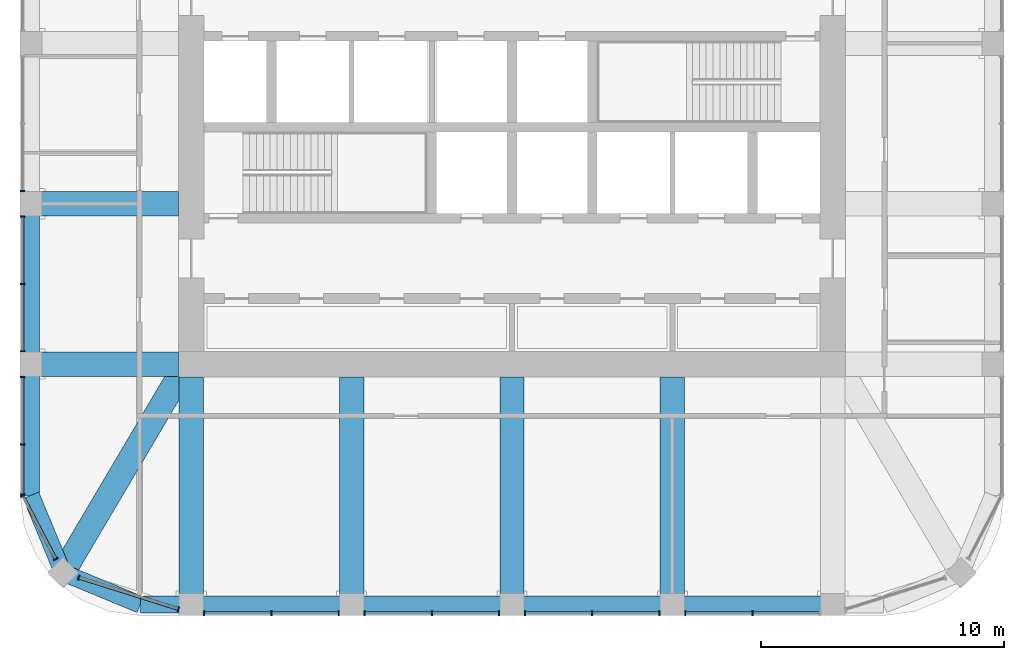
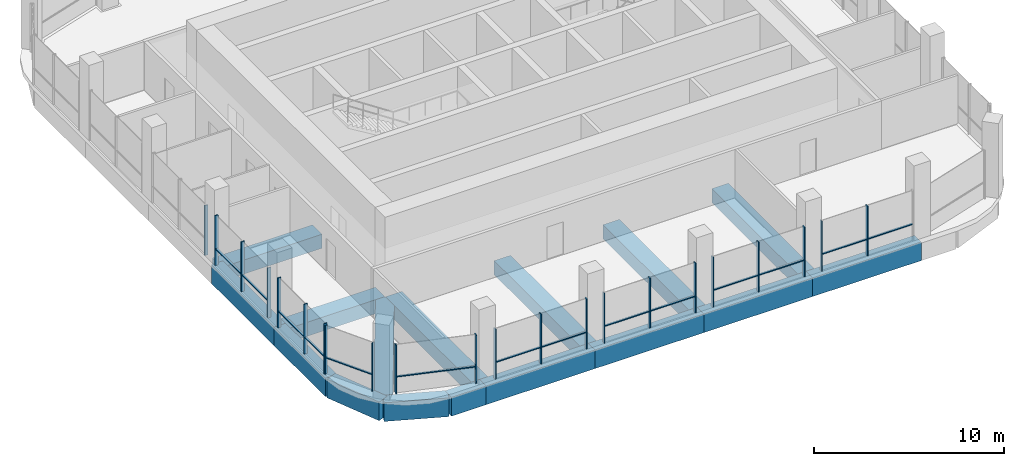
# One storey, part 2 of 13: 36 members, 16 beams, 9 elements without a shape of their own.
"""IFC4 building model written with IfcOpenShell, lengths in metres."""

from ifc_helpers import new_model, si_unit, direction, frame, origin, origin_2d, place, context, subcontext, project, spatial, rectangle, extrude, material, material_profile, profile_set, type_object, element, aggregate, save


model = new_model("IFC4")

# Units and contexts
model_context = context("Model", 3, precision=1e-05, world=origin(), true_north=direction((0.0, 1.0)))
body_context = subcontext(model_context, "Body", "Model", "MODEL_VIEW")
ifc_project = project(units=[si_unit("LENGTHUNIT", "METRE"), si_unit("AREAUNIT", "SQUARE_METRE"), si_unit("VOLUMEUNIT", "CUBIC_METRE"), si_unit("PLANEANGLEUNIT", "RADIAN"), si_unit("MASSUNIT", "GRAM", prefix="KILO")], contexts=[model_context])

# Site, building, storey
site_placement = place(None, origin())
site = spatial("IfcSite", under=ifc_project, at=site_placement, CompositionType="ELEMENT")
building_placement = place(site_placement, origin())
building = spatial("IfcBuilding", under=site, at=building_placement, Name="Cobogo Forest Laboratory Tower", CompositionType="ELEMENT")
storey_placement = place(building_placement, frame((0.0, 0.0, 288.0)))
storey = spatial("IfcBuildingStorey", under=building, at=storey_placement, Name="L66", CompositionType="ELEMENT", Elevation=288.0)

# Curtain wall, members
ifc_material_1 = material(Name="Aluminium curtain wall", Category="aluminium")
curtain_wall_type = type_object("IfcCurtainWallType", Name="CW-C stick curtain wall, crown glazing, conference floor and roof pavilion", PredefinedType="USERDEFINED", material=ifc_material_1)
curtain_wall_1_placement = place(storey_placement, origin())
curtain_wall_1 = element("IfcCurtainWall", 1, at=curtain_wall_1_placement, inside=storey, type_object=curtain_wall_type, Name="Curtain wall 01 L66", ObjectType="STICK CURTAIN WALL", PredefinedType="USERDEFINED")
ifc_material_2 = material(Name="Aluminium mullion", Category="aluminium")
ifc_material_profile_1 = material_profile(ifc_material_2, rectangle(XDim=0.06005859375, YDim=0.199951171875, at=origin_2d()), Name="AL 60x200")
ifc_profile_set_1 = profile_set([ifc_material_profile_1], Name="Aluminium mullion")
member_type_1 = type_object("IfcMemberType", Name="MU-2 aluminium mullion 60x200", PredefinedType="MULLION", material=ifc_profile_set_1)
member_1_placement = place(storey_placement, frame((13.72998046875, 2.949951171875, 0.0), z_axis=(0.0, 0.0, 1.0), x_axis=(1.0, 0.0, 0.0)))
member_1 = element("IfcMember", 2, at=member_1_placement, type_object=member_type_1, Name="CW-C mullion 1", PredefinedType="MULLION", context=body_context, shape_type="SweptSolid", body=[
    extrude(rectangle(XDim=0.06005859375, YDim=0.199951171875, at=origin_2d()), origin(), (0.0, 0.0, 1.0), 3.199951171875),
])
member_2_placement = place(storey_placement, frame((16.5, 2.949951171875, 0.0), z_axis=(0.0, 0.0, 1.0), x_axis=(1.0, 0.0, 0.0)))
member_2 = element("IfcMember", 3, at=member_2_placement, type_object=member_type_1, Name="CW-C mullion 2", PredefinedType="MULLION", context=body_context, shape_type="SweptSolid", body=[
    extrude(rectangle(XDim=0.06005859375, YDim=0.199951171875, at=origin_2d()), origin(), (0.0, 0.0, 1.0), 3.199951171875),
])
member_3_placement = place(storey_placement, frame((19.27001953125, 2.949951171875, 0.0), z_axis=(0.0, 0.0, 1.0), x_axis=(1.0, 0.0, 0.0)))
member_3 = element("IfcMember", 4, at=member_3_placement, type_object=member_type_1, Name="CW-C mullion 3", PredefinedType="MULLION", context=body_context, shape_type="SweptSolid", body=[
    extrude(rectangle(XDim=0.06005859375, YDim=0.199951171875, at=origin_2d()), origin(), (0.0, 0.0, 1.0), 3.199951171875),
])

curtain_wall_2_placement = place(storey_placement, origin())
curtain_wall_2 = element("IfcCurtainWall", 5, at=curtain_wall_2_placement, inside=storey, type_object=curtain_wall_type, Name="Curtain wall 02 L66", ObjectType="STICK CURTAIN WALL", PredefinedType="USERDEFINED")
member_4_placement = place(storey_placement, frame((20.330078125, 2.949951171875, 0.0), z_axis=(0.0, 0.0, 1.0), x_axis=(1.0, 0.0, 0.0)))
member_4 = element("IfcMember", 6, at=member_4_placement, type_object=member_type_1, Name="CW-C mullion 1", PredefinedType="MULLION", context=body_context, shape_type="SweptSolid", body=[
    extrude(rectangle(XDim=0.06005859375, YDim=0.199951171875, at=origin_2d()), origin(), (0.0, 0.0, 1.0), 3.199951171875),
])
member_5_placement = place(storey_placement, frame((23.10009765625, 2.949951171875, 0.0), z_axis=(0.0, 0.0, 1.0), x_axis=(1.0, 0.0, 0.0)))
member_5 = element("IfcMember", 7, at=member_5_placement, type_object=member_type_1, Name="CW-C mullion 2", PredefinedType="MULLION", context=body_context, shape_type="SweptSolid", body=[
    extrude(rectangle(XDim=0.06005859375, YDim=0.199951171875, at=origin_2d()), origin(), (0.0, 0.0, 1.0), 3.199951171875),
])
member_6_placement = place(storey_placement, frame((25.8701171875, 2.949951171875, 0.0), z_axis=(0.0, 0.0, 1.0), x_axis=(1.0, 0.0, 0.0)))
member_6 = element("IfcMember", 8, at=member_6_placement, type_object=member_type_1, Name="CW-C mullion 3", PredefinedType="MULLION", context=body_context, shape_type="SweptSolid", body=[
    extrude(rectangle(XDim=0.06005859375, YDim=0.199951171875, at=origin_2d()), origin(), (0.0, 0.0, 1.0), 3.199951171875),
])

curtain_wall_3_placement = place(storey_placement, origin())
curtain_wall_3 = element("IfcCurtainWall", 9, at=curtain_wall_3_placement, inside=storey, type_object=curtain_wall_type, Name="Curtain wall 03 L66", ObjectType="STICK CURTAIN WALL", PredefinedType="USERDEFINED")
member_7_placement = place(storey_placement, frame((26.929931640625, 2.949951171875, 0.0), z_axis=(0.0, 0.0, 1.0), x_axis=(1.0, 0.0, 0.0)))
member_7 = element("IfcMember", 10, at=member_7_placement, type_object=member_type_1, Name="CW-C mullion 1", PredefinedType="MULLION", context=body_context, shape_type="SweptSolid", body=[
    extrude(rectangle(XDim=0.06005859375, YDim=0.199951171875, at=origin_2d()), origin(), (0.0, 0.0, 1.0), 3.199951171875),
])
member_8_placement = place(storey_placement, frame((29.699951171875, 2.949951171875, 0.0), z_axis=(0.0, 0.0, 1.0), x_axis=(1.0, 0.0, 0.0)))
member_8 = element("IfcMember", 11, at=member_8_placement, type_object=member_type_1, Name="CW-C mullion 2", PredefinedType="MULLION", context=body_context, shape_type="SweptSolid", body=[
    extrude(rectangle(XDim=0.06005859375, YDim=0.199951171875, at=origin_2d()), origin(), (0.0, 0.0, 1.0), 3.199951171875),
])
member_9_placement = place(storey_placement, frame((32.469970703125, 2.949951171875, 0.0), z_axis=(0.0, 0.0, 1.0), x_axis=(1.0, 0.0, 0.0)))
member_9 = element("IfcMember", 12, at=member_9_placement, type_object=member_type_1, Name="CW-C mullion 3", PredefinedType="MULLION", context=body_context, shape_type="SweptSolid", body=[
    extrude(rectangle(XDim=0.06005859375, YDim=0.199951171875, at=origin_2d()), origin(), (0.0, 0.0, 1.0), 3.199951171875),
])

curtain_wall_4_placement = place(storey_placement, origin())
curtain_wall_4 = element("IfcCurtainWall", 13, at=curtain_wall_4_placement, inside=storey, type_object=curtain_wall_type, Name="Curtain wall 04 L66", ObjectType="STICK CURTAIN WALL", PredefinedType="USERDEFINED")
member_10_placement = place(storey_placement, frame((33.530029296875, 2.949951171875, 0.0), z_axis=(0.0, 0.0, 1.0), x_axis=(1.0, 0.0, 0.0)))
member_10 = element("IfcMember", 14, at=member_10_placement, type_object=member_type_1, Name="CW-C mullion 1", PredefinedType="MULLION", context=body_context, shape_type="SweptSolid", body=[
    extrude(rectangle(XDim=0.06005859375, YDim=0.199951171875, at=origin_2d()), origin(), (0.0, 0.0, 1.0), 3.199951171875),
])
member_11_placement = place(storey_placement, frame((36.300048828125, 2.949951171875, 0.0), z_axis=(0.0, 0.0, 1.0), x_axis=(1.0, 0.0, 0.0)))
member_11 = element("IfcMember", 15, at=member_11_placement, type_object=member_type_1, Name="CW-C mullion 2", PredefinedType="MULLION", context=body_context, shape_type="SweptSolid", body=[
    extrude(rectangle(XDim=0.06005859375, YDim=0.199951171875, at=origin_2d()), origin(), (0.0, 0.0, 1.0), 3.199951171875),
])

# Curtain wall, member
curtain_wall_5_placement = place(storey_placement, origin())
curtain_wall_5 = element("IfcCurtainWall", 16, at=curtain_wall_5_placement, inside=storey, type_object=curtain_wall_type, Name="Curtain wall 22 L66", ObjectType="STICK CURTAIN WALL", PredefinedType="USERDEFINED")
member_12_placement = place(storey_placement, frame((6.25, 20.330078125, 0.0), z_axis=(0.0, 0.0, 1.0), x_axis=(0.0, -1.0, 0.0)))
member_12 = element("IfcMember", 17, at=member_12_placement, type_object=member_type_1, Name="CW-C mullion 3", PredefinedType="MULLION", context=body_context, shape_type="SweptSolid", body=[
    extrude(rectangle(XDim=0.06005859375, YDim=0.199951171875, at=origin_2d()), origin(), (0.0, 0.0, 1.0), 3.199951171875),
])
aggregate(curtain_wall_5, [member_12])

# Curtain wall, members
curtain_wall_6_placement = place(storey_placement, origin())
curtain_wall_6 = element("IfcCurtainWall", 18, at=curtain_wall_6_placement, inside=storey, type_object=curtain_wall_type, Name="Curtain wall 23 L66", ObjectType="STICK CURTAIN WALL", PredefinedType="USERDEFINED")
member_13_placement = place(storey_placement, frame((6.25, 19.27001953125, 0.0), z_axis=(0.0, 0.0, 1.0), x_axis=(0.0, -1.0, 0.0)))
member_13 = element("IfcMember", 19, at=member_13_placement, type_object=member_type_1, Name="CW-C mullion 1", PredefinedType="MULLION", context=body_context, shape_type="SweptSolid", body=[
    extrude(rectangle(XDim=0.06005859375, YDim=0.199951171875, at=origin_2d()), origin(), (0.0, 0.0, 1.0), 3.199951171875),
])
member_14_placement = place(storey_placement, frame((6.25, 16.5, 0.0), z_axis=(0.0, 0.0, 1.0), x_axis=(0.0, -1.0, 0.0)))
member_14 = element("IfcMember", 20, at=member_14_placement, type_object=member_type_1, Name="CW-C mullion 2", PredefinedType="MULLION", context=body_context, shape_type="SweptSolid", body=[
    extrude(rectangle(XDim=0.06005859375, YDim=0.199951171875, at=origin_2d()), origin(), (0.0, 0.0, 1.0), 3.199951171875),
])
member_15_placement = place(storey_placement, frame((6.25, 13.72998046875, 0.0), z_axis=(0.0, 0.0, 1.0), x_axis=(0.0, -1.0, 0.0)))
member_15 = element("IfcMember", 21, at=member_15_placement, type_object=member_type_1, Name="CW-C mullion 3", PredefinedType="MULLION", context=body_context, shape_type="SweptSolid", body=[
    extrude(rectangle(XDim=0.06005859375, YDim=0.199951171875, at=origin_2d()), origin(), (0.0, 0.0, 1.0), 3.199951171875),
])

curtain_wall_7_placement = place(storey_placement, origin())
curtain_wall_7 = element("IfcCurtainWall", 22, at=curtain_wall_7_placement, inside=storey, type_object=curtain_wall_type, Name="Curtain wall 24 L66", ObjectType="STICK CURTAIN WALL", PredefinedType="USERDEFINED")
member_16_placement = place(storey_placement, frame((6.25, 12.669921875, 0.0), z_axis=(0.0, 0.0, 1.0), x_axis=(0.0, -1.0, 0.0)))
member_16 = element("IfcMember", 23, at=member_16_placement, type_object=member_type_1, Name="CW-C mullion 1", PredefinedType="MULLION", context=body_context, shape_type="SweptSolid", body=[
    extrude(rectangle(XDim=0.06005859375, YDim=0.199951171875, at=origin_2d()), origin(), (0.0, 0.0, 1.0), 3.199951171875),
])
member_17_placement = place(storey_placement, frame((6.25, 9.89990234375, 0.0), z_axis=(0.0, 0.0, 1.0), x_axis=(0.0, -1.0, 0.0)))
member_17 = element("IfcMember", 24, at=member_17_placement, type_object=member_type_1, Name="CW-C mullion 2", PredefinedType="MULLION", context=body_context, shape_type="SweptSolid", body=[
    extrude(rectangle(XDim=0.06005859375, YDim=0.199951171875, at=origin_2d()), origin(), (0.0, 0.0, 1.0), 3.199951171875),
])
member_18_placement = place(storey_placement, frame((6.25, 7.830078125, 0.0), z_axis=(0.0, 0.0, 1.0), x_axis=(0.0, -1.0, 0.0)))
member_18 = element("IfcMember", 25, at=member_18_placement, type_object=member_type_1, Name="CW-C mullion 3", PredefinedType="MULLION", context=body_context, shape_type="SweptSolid", body=[
    extrude(rectangle(XDim=0.06005859375, YDim=0.199951171875, at=origin_2d()), origin(), (0.0, 0.0, 1.0), 3.199951171875),
])

curtain_wall_8_placement = place(storey_placement, origin())
curtain_wall_8 = element("IfcCurtainWall", 26, at=curtain_wall_8_placement, inside=storey, type_object=curtain_wall_type, Name="Curtain wall 25 L66", ObjectType="STICK CURTAIN WALL", PredefinedType="USERDEFINED")
member_19_placement = place(storey_placement, frame((6.263916015625, 7.7734375, 0.0), z_axis=(0.0, 0.0, 1.0), x_axis=(0.464283778337, -0.885686498245, 0.0)))
member_19 = element("IfcMember", 27, at=member_19_placement, type_object=member_type_1, Name="CW-C mullion 1", PredefinedType="MULLION", context=body_context, shape_type="SweptSolid", body=[
    extrude(rectangle(XDim=0.06005859375, YDim=0.199951171875, at=origin_2d()), origin(), (0.0, 0.0, 1.0), 3.10009765625),
])
member_20_placement = place(storey_placement, frame((7.6220703125, 5.1826171875, 0.0), z_axis=(0.0, 0.0, 1.0), x_axis=(0.464283778337, -0.885686498245, 0.0)))
member_20 = element("IfcMember", 28, at=member_20_placement, type_object=member_type_1, Name="CW-C mullion 2", PredefinedType="MULLION", context=body_context, shape_type="SweptSolid", body=[
    extrude(rectangle(XDim=0.06005859375, YDim=0.199951171875, at=origin_2d()), origin(), (0.0, 0.0, 1.0), 3.10009765625),
])

curtain_wall_9_placement = place(storey_placement, origin())
curtain_wall_9 = element("IfcCurtainWall", 29, at=curtain_wall_9_placement, inside=storey, type_object=curtain_wall_type, Name="Curtain wall 26 L66", ObjectType="STICK CURTAIN WALL", PredefinedType="USERDEFINED")
member_21_placement = place(storey_placement, frame((8.570068359375, 4.412109375, 0.0), z_axis=(0.0, 0.0, 1.0), x_axis=(0.953581379409, -0.301135439371, 0.0)))
member_21 = element("IfcMember", 30, at=member_21_placement, type_object=member_type_1, Name="CW-C mullion 1", PredefinedType="MULLION", context=body_context, shape_type="SweptSolid", body=[
    extrude(rectangle(XDim=0.06005859375, YDim=0.199951171875, at=origin_2d()), origin(), (0.0, 0.0, 1.0), 3.10009765625),
])
member_22_placement = place(storey_placement, frame((12.67138671875, 3.116943359375, 0.0), z_axis=(0.0, 0.0, 1.0), x_axis=(0.953581379409, -0.301135439371, 0.0)))
member_22 = element("IfcMember", 31, at=member_22_placement, type_object=member_type_1, Name="CW-C mullion 2", PredefinedType="MULLION", context=body_context, shape_type="SweptSolid", body=[
    extrude(rectangle(XDim=0.06005859375, YDim=0.199951171875, at=origin_2d()), origin(), (0.0, 0.0, 1.0), 3.10009765625),
])

# Beams
ifc_material_3 = material(Name="Concrete HA-40 (C40/50)", Category="concrete")
ifc_material_profile_2 = material_profile(ifc_material_3, rectangle(XDim=1.0, YDim=0.89990234375, at=origin_2d()), Name="RC 1000x900")
ifc_profile_set_2 = profile_set([ifc_material_profile_2], Name="Concrete HA-40 (C40/50)")
beam_type_1 = type_object("IfcBeamType", Name="Office floor wide beam 1000x900", PredefinedType="BEAM", material=ifc_profile_set_2)
for number, where, z_axis, x_axis, name in (
    (32, (13.199951171875, 12.675048828125, -0.75), (0.0, -1.0, 0.0), (1.0, 0.0, 0.0), "RB2 R-3-S L66"),
    (33, (19.800048828125, 12.675048828125, -0.75), (0.0, -1.0, 0.0), (1.0, 0.0, 0.0), "RB2 R-4-S L66"),
    (34, (26.39990234375, 12.675048828125, -0.75), (0.0, -1.0, 0.0), (1.0, 0.0, 0.0), "RB2 R-5-S L66"),
    (35, (33.0, 12.675048828125, -0.75), (0.0, -1.0, 0.0), (1.0, 0.0, 0.0), "RB2 R-6-S L66"),
):
    element("IfcBeam", number, at=place(storey_placement, frame(where, z_axis=z_axis, x_axis=x_axis)), inside=storey, type_object=beam_type_1, Name=name, PredefinedType="BEAM", context=body_context, shape_type="SweptSolid", body=[
        extrude(rectangle(XDim=1.0, YDim=0.89990234375, at=origin_2d()), origin(), (0.0, 0.0, 1.0), 9.375),
    ])
for number, where, z_axis, x_axis, name in (
    (36, (12.675048828125, 13.199951171875, -0.75), (-1.0, 0.0, 0.0), (0.0, -1.0, 0.0), "RB2 R-C-W L66"),
    (37, (12.675048828125, 19.800048828125, -0.75), (-1.0, 0.0, 0.0), (0.0, -1.0, 0.0), "RB2 R-D-W L66"),
):
    element("IfcBeam", number, at=place(storey_placement, frame(where, z_axis=z_axis, x_axis=x_axis)), inside=storey, type_object=beam_type_1, Name=name, PredefinedType="BEAM", context=body_context, shape_type="SweptSolid", body=[
        extrude(rectangle(XDim=1.0, YDim=0.89990234375, at=origin_2d()), origin(), (0.0, 0.0, 1.0), 6.074951171875),
    ])
beam_1_placement = place(storey_placement, frame((7.91796875, 4.617919921875, -0.75), z_axis=(0.508416325908, 0.861111397875, 0.0), x_axis=(-0.861111397875, 0.508416325908, 0.0)))
element("IfcBeam", 38, at=beam_1_placement, inside=storey, type_object=beam_type_1, Name="RB2 G-SW-D1 L66", PredefinedType="BEAM", context=body_context, shape_type="SweptSolid", body=[
    extrude(rectangle(XDim=1.0, YDim=0.89990234375, at=origin_2d()), origin(), (0.0, 0.0, 1.0), 9.356689453125),
])
ifc_material_profile_3 = material_profile(ifc_material_3, rectangle(XDim=0.699951171875, YDim=1.199951171875, at=origin_2d()), Name="RC 700x1200")
ifc_profile_set_3 = profile_set([ifc_material_profile_3], Name="Concrete HA-40 (C40/50)")
beam_type_2 = type_object("IfcBeamType", Name="Perimeter edge beam 700x1200", PredefinedType="BEAM", material=ifc_profile_set_3)
beam_2_placement = place(storey_placement, frame((13.199951171875, 3.300048828125, -0.89990234375), z_axis=(1.0, 0.0, 0.0), x_axis=(0.0, 1.0, 0.0)))
element("IfcBeam", 39, at=beam_2_placement, inside=storey, type_object=beam_type_2, Name="EB1 E-S1 L66", PredefinedType="BEAM", context=body_context, shape_type="SweptSolid", body=[
    extrude(rectangle(XDim=0.699951171875, YDim=1.199951171875, at=origin_2d()), origin(), (0.0, 0.0, 1.0), 6.60009765625),
])
beam_3_placement = place(storey_placement, frame((19.800048828125, 3.300048828125, -0.89990234375), z_axis=(1.0, 0.0, 0.0), x_axis=(0.0, 1.0, 0.0)))
element("IfcBeam", 40, at=beam_3_placement, inside=storey, type_object=beam_type_2, Name="EB1 E-S2 L66", PredefinedType="BEAM", context=body_context, shape_type="SweptSolid", body=[
    extrude(rectangle(XDim=0.699951171875, YDim=1.199951171875, at=origin_2d()), origin(), (0.0, 0.0, 1.0), 6.599853515625),
])
for number, where, z_axis, x_axis, name in (
    (41, (26.39990234375, 3.300048828125, -0.89990234375), (1.0, 0.0, 0.0), (0.0, 1.0, 0.0), "EB1 E-S3 L66"),
    (42, (33.0, 3.300048828125, -0.89990234375), (1.0, 0.0, 0.0), (0.0, 1.0, 0.0), "EB1 E-S4 L66"),
    (43, (6.60009765625, 13.199951171875, -0.89990234375), (0.0, 1.0, 0.0), (-1.0, 0.0, 0.0), "EB1 E-W1 L66"),
):
    element("IfcBeam", number, at=place(storey_placement, frame(where, z_axis=z_axis, x_axis=x_axis)), inside=storey, type_object=beam_type_2, Name=name, PredefinedType="BEAM", context=body_context, shape_type="SweptSolid", body=[
        extrude(rectangle(XDim=0.699951171875, YDim=1.199951171875, at=origin_2d()), origin(), (0.0, 0.0, 1.0), 6.60009765625),
    ])
beam_4_placement = place(storey_placement, frame((13.199951171875, 3.300048828125, -0.89990234375), z_axis=(-1.0, 0.0, 0.0), x_axis=(0.0, -1.0, 0.0)))
element("IfcBeam", 44, at=beam_4_placement, inside=storey, type_object=beam_type_2, Name="EB1 E-SWS1 L66", PredefinedType="BEAM", context=body_context, shape_type="SweptSolid", body=[
    extrude(rectangle(XDim=0.699951171875, YDim=1.199951171875, at=origin_2d()), origin(), (0.0, 0.0, 1.0), 2.099853515625),
])
beam_5_placement = place(storey_placement, frame((11.10009765625, 3.300048828125, -0.89990234375), z_axis=(-0.923901072997, 0.382631424892, 0.0), x_axis=(-0.382631424892, -0.923901072997, 0.0)))
element("IfcBeam", 45, at=beam_5_placement, inside=storey, type_object=beam_type_2, Name="EB1 E-SWS2 L66", PredefinedType="BEAM", context=body_context, shape_type="SweptSolid", body=[
    extrude(rectangle(XDim=0.699951171875, YDim=1.199951171875, at=origin_2d()), origin(), (0.0, 0.0, 1.0), 3.4443359375),
])
beam_6_placement = place(storey_placement, frame((6.60009765625, 13.199951171875, -0.89990234375), z_axis=(0.0, -1.0, 0.0), x_axis=(1.0, 0.0, 0.0)))
element("IfcBeam", 46, at=beam_6_placement, inside=storey, type_object=beam_type_2, Name="EB1 E-SWW1 L66", PredefinedType="BEAM", context=body_context, shape_type="SweptSolid", body=[
    extrude(rectangle(XDim=0.699951171875, YDim=1.199951171875, at=origin_2d()), origin(), (0.0, 0.0, 1.0), 5.39990234375),
])
beam_7_placement = place(storey_placement, frame((6.60009765625, 7.800048828125, -0.89990234375), z_axis=(0.382631424892, -0.923901072997, 0.0), x_axis=(0.923901072997, 0.382631424892, 0.0)))
element("IfcBeam", 47, at=beam_7_placement, inside=storey, type_object=beam_type_2, Name="EB1 E-SWW2 L66", PredefinedType="BEAM", context=body_context, shape_type="SweptSolid", body=[
    extrude(rectangle(XDim=0.699951171875, YDim=1.199951171875, at=origin_2d()), origin(), (0.0, 0.0, 1.0), 3.4443359375),
])

# Member
ifc_material_4 = material(Name="Aluminium transom", Category="aluminium")
ifc_material_profile_4 = material_profile(ifc_material_4, rectangle(XDim=0.1201171875, YDim=0.06005859375, at=origin_2d()), Name="AL 60x120")
ifc_profile_set_4 = profile_set([ifc_material_profile_4], Name="Aluminium transom")
member_type_2 = type_object("IfcMemberType", Name="TR-1 aluminium transom 60x120", PredefinedType="USERDEFINED", material=ifc_profile_set_4)
member_23_placement = place(storey_placement, frame((13.760009765625, 2.949951171875, 1.050048828125), z_axis=(1.0, 0.0, 0.0), x_axis=(0.0, 1.0, 0.0)))
member_23 = element("IfcMember", 48, at=member_23_placement, type_object=member_type_2, Name="CW-C transom 1.1", ObjectType="TRANSOM", PredefinedType="USERDEFINED", context=body_context, shape_type="SweptSolid", body=[
    extrude(rectangle(XDim=0.1201171875, YDim=0.06005859375, at=origin_2d()), origin(), (0.0, 0.0, 1.0), 2.7099609375),
])

member_24_placement = place(storey_placement, frame((16.530029296875, 2.949951171875, 1.050048828125), z_axis=(1.0, 0.0, 0.0), x_axis=(0.0, 1.0, 0.0)))
member_24 = element("IfcMember", 49, at=member_24_placement, type_object=member_type_2, Name="CW-C transom 2.1", ObjectType="TRANSOM", PredefinedType="USERDEFINED", context=body_context, shape_type="SweptSolid", body=[
    extrude(rectangle(XDim=0.1201171875, YDim=0.06005859375, at=origin_2d()), origin(), (0.0, 0.0, 1.0), 2.7099609375),
])

aggregate(curtain_wall_1, [member_1, member_2, member_3, member_23, member_24])

member_25_placement = place(storey_placement, frame((20.360107421875, 2.949951171875, 1.050048828125), z_axis=(1.0, 0.0, 0.0), x_axis=(0.0, 1.0, 0.0)))
member_25 = element("IfcMember", 50, at=member_25_placement, type_object=member_type_2, Name="CW-C transom 1.1", ObjectType="TRANSOM", PredefinedType="USERDEFINED", context=body_context, shape_type="SweptSolid", body=[
    extrude(rectangle(XDim=0.1201171875, YDim=0.06005859375, at=origin_2d()), origin(), (0.0, 0.0, 1.0), 2.7099609375),
])

member_26_placement = place(storey_placement, frame((23.1298828125, 2.949951171875, 1.050048828125), z_axis=(1.0, 0.0, 0.0), x_axis=(0.0, 1.0, 0.0)))
member_26 = element("IfcMember", 51, at=member_26_placement, type_object=member_type_2, Name="CW-C transom 2.1", ObjectType="TRANSOM", PredefinedType="USERDEFINED", context=body_context, shape_type="SweptSolid", body=[
    extrude(rectangle(XDim=0.1201171875, YDim=0.06005859375, at=origin_2d()), origin(), (0.0, 0.0, 1.0), 2.710205078125),
])

aggregate(curtain_wall_2, [member_4, member_5, member_6, member_25, member_26])

member_27_placement = place(storey_placement, frame((26.9599609375, 2.949951171875, 1.050048828125), z_axis=(1.0, 0.0, 0.0), x_axis=(0.0, 1.0, 0.0)))
member_27 = element("IfcMember", 52, at=member_27_placement, type_object=member_type_2, Name="CW-C transom 1.1", ObjectType="TRANSOM", PredefinedType="USERDEFINED", context=body_context, shape_type="SweptSolid", body=[
    extrude(rectangle(XDim=0.1201171875, YDim=0.06005859375, at=origin_2d()), origin(), (0.0, 0.0, 1.0), 2.7099609375),
])

member_28_placement = place(storey_placement, frame((29.72998046875, 2.949951171875, 1.050048828125), z_axis=(1.0, 0.0, 0.0), x_axis=(0.0, 1.0, 0.0)))
member_28 = element("IfcMember", 53, at=member_28_placement, type_object=member_type_2, Name="CW-C transom 2.1", ObjectType="TRANSOM", PredefinedType="USERDEFINED", context=body_context, shape_type="SweptSolid", body=[
    extrude(rectangle(XDim=0.1201171875, YDim=0.06005859375, at=origin_2d()), origin(), (0.0, 0.0, 1.0), 2.7099609375),
])

aggregate(curtain_wall_3, [member_7, member_8, member_9, member_27, member_28])

member_29_placement = place(storey_placement, frame((33.56005859375, 2.949951171875, 1.050048828125), z_axis=(1.0, 0.0, 0.0), x_axis=(0.0, 1.0, 0.0)))
member_29 = element("IfcMember", 54, at=member_29_placement, type_object=member_type_2, Name="CW-C transom 1.1", ObjectType="TRANSOM", PredefinedType="USERDEFINED", context=body_context, shape_type="SweptSolid", body=[
    extrude(rectangle(XDim=0.1201171875, YDim=0.06005859375, at=origin_2d()), origin(), (0.0, 0.0, 1.0), 2.7099609375),
])

member_30_placement = place(storey_placement, frame((36.330078125, 2.949951171875, 1.050048828125), z_axis=(1.0, 0.0, 0.0), x_axis=(0.0, 1.0, 0.0)))
member_30 = element("IfcMember", 55, at=member_30_placement, type_object=member_type_2, Name="CW-C transom 2.1", ObjectType="TRANSOM", PredefinedType="USERDEFINED", context=body_context, shape_type="SweptSolid", body=[
    extrude(rectangle(XDim=0.1201171875, YDim=0.06005859375, at=origin_2d()), origin(), (0.0, 0.0, 1.0), 2.7099609375),
])

aggregate(curtain_wall_4, [member_10, member_11, member_29, member_30])

member_31_placement = place(storey_placement, frame((6.25, 19.239990234375, 1.050048828125), z_axis=(0.0, -1.0, 0.0), x_axis=(1.0, 0.0, 0.0)))
member_31 = element("IfcMember", 56, at=member_31_placement, type_object=member_type_2, Name="CW-C transom 1.1", ObjectType="TRANSOM", PredefinedType="USERDEFINED", context=body_context, shape_type="SweptSolid", body=[
    extrude(rectangle(XDim=0.1201171875, YDim=0.06005859375, at=origin_2d()), origin(), (0.0, 0.0, 1.0), 2.7099609375),
])

member_32_placement = place(storey_placement, frame((6.25, 16.469970703125, 1.050048828125), z_axis=(0.0, -1.0, 0.0), x_axis=(1.0, 0.0, 0.0)))
member_32 = element("IfcMember", 57, at=member_32_placement, type_object=member_type_2, Name="CW-C transom 2.1", ObjectType="TRANSOM", PredefinedType="USERDEFINED", context=body_context, shape_type="SweptSolid", body=[
    extrude(rectangle(XDim=0.1201171875, YDim=0.06005859375, at=origin_2d()), origin(), (0.0, 0.0, 1.0), 2.7099609375),
])

aggregate(curtain_wall_6, [member_13, member_14, member_15, member_31, member_32])

member_33_placement = place(storey_placement, frame((6.25, 12.639892578125, 1.050048828125), z_axis=(0.0, -1.0, 0.0), x_axis=(1.0, 0.0, 0.0)))
member_33 = element("IfcMember", 58, at=member_33_placement, type_object=member_type_2, Name="CW-C transom 1.1", ObjectType="TRANSOM", PredefinedType="USERDEFINED", context=body_context, shape_type="SweptSolid", body=[
    extrude(rectangle(XDim=0.1201171875, YDim=0.06005859375, at=origin_2d()), origin(), (0.0, 0.0, 1.0), 2.7099609375),
])

member_34_placement = place(storey_placement, frame((6.25, 9.8701171875, 1.050048828125), z_axis=(0.0, -1.0, 0.0), x_axis=(1.0, 0.0, 0.0)))
member_34 = element("IfcMember", 59, at=member_34_placement, type_object=member_type_2, Name="CW-C transom 2.1", ObjectType="TRANSOM", PredefinedType="USERDEFINED", context=body_context, shape_type="SweptSolid", body=[
    extrude(rectangle(XDim=0.1201171875, YDim=0.06005859375, at=origin_2d()), origin(), (0.0, 0.0, 1.0), 2.010009765625),
])

aggregate(curtain_wall_7, [member_16, member_17, member_18, member_33, member_34])

member_35_placement = place(storey_placement, frame((6.27783203125, 7.746826171875, 1.050048828125), z_axis=(0.46430944806, -0.885673041501, 0.0), x_axis=(0.885673041501, 0.46430944806, 0.0)))
member_35 = element("IfcMember", 60, at=member_35_placement, type_object=member_type_2, Name="CW-C transom 1.1", ObjectType="TRANSOM", PredefinedType="USERDEFINED", context=body_context, shape_type="SweptSolid", body=[
    extrude(rectangle(XDim=0.1201171875, YDim=0.06005859375, at=origin_2d()), origin(), (0.0, 0.0, 1.0), 2.865234375),
])

aggregate(curtain_wall_8, [member_19, member_20, member_35])

member_36_placement = place(storey_placement, frame((8.5986328125, 4.403076171875, 1.050048828125), z_axis=(0.953583535148, -0.30112861288, 0.0), x_axis=(0.30112861288, 0.953583535148, 0.0)))
member_36 = element("IfcMember", 61, at=member_36_placement, type_object=member_type_2, Name="CW-C transom 1.1", ObjectType="TRANSOM", PredefinedType="USERDEFINED", context=body_context, shape_type="SweptSolid", body=[
    extrude(rectangle(XDim=0.1201171875, YDim=0.06005859375, at=origin_2d()), origin(), (0.0, 0.0, 1.0), 4.240966796875),
])

aggregate(curtain_wall_9, [member_21, member_22, member_36])

save(model, "model.ifc")
